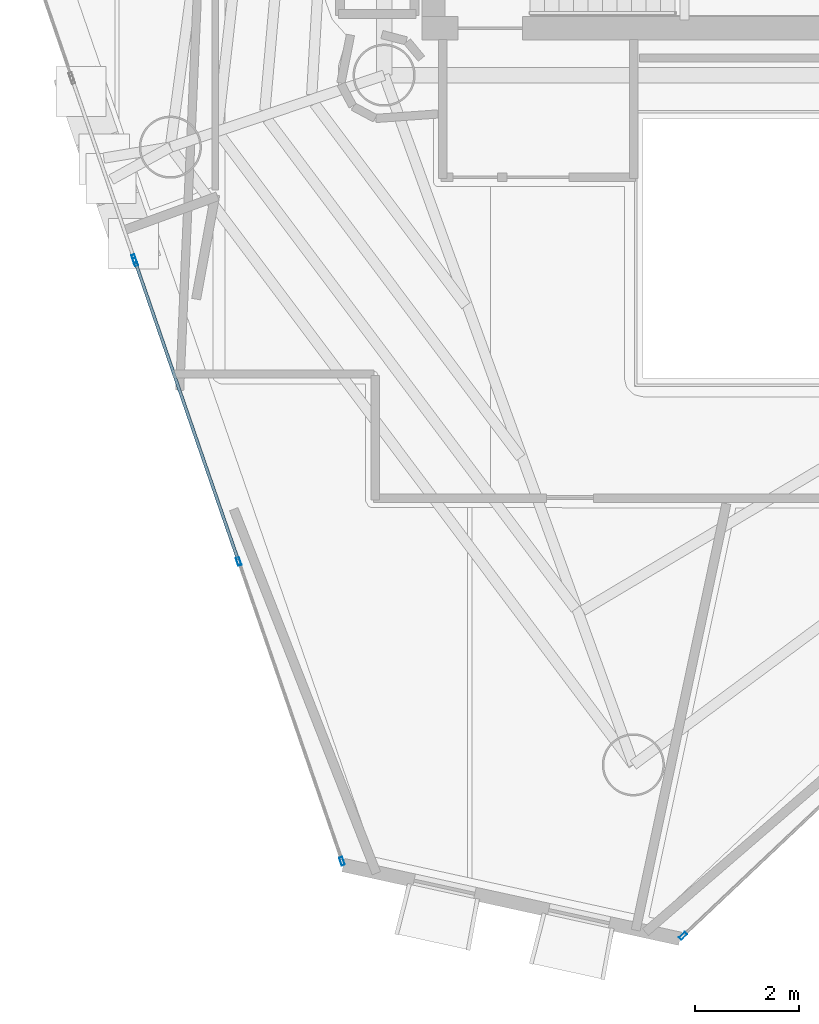
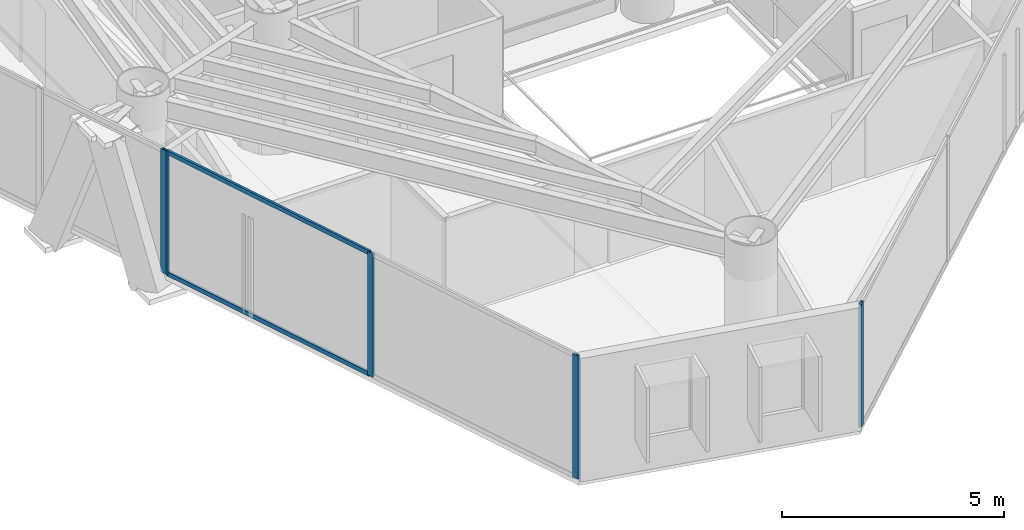
# One storey, part 2 of 20: 7 members, 3 elements without a shape of their own.
"""IFC4 building model written with IfcOpenShell, lengths in metres."""

from ifc_helpers import new_model, si_unit, direction, frame, origin, origin_2d, place, context, subcontext, project, spatial, hollow_rectangle, extrude, material, layer, layer_set, material_profile, profile_set, type_object, element, aggregate, save


model = new_model("IFC4")

# Units and contexts
model_context = context("Model", 3, precision=1e-05, world=origin(), true_north=direction((0.0, 1.0)))
body_context = subcontext(model_context, "Body", "Model", "MODEL_VIEW")
ifc_project = project(units=[si_unit("LENGTHUNIT", "METRE"), si_unit("AREAUNIT", "SQUARE_METRE"), si_unit("VOLUMEUNIT", "CUBIC_METRE"), si_unit("PLANEANGLEUNIT", "RADIAN"), si_unit("MASSUNIT", "GRAM", prefix="KILO")], contexts=[model_context])

# Site, building, storey
site_placement = place(None, origin())
site = spatial("IfcSite", under=ifc_project, at=site_placement, CompositionType="ELEMENT")
building_placement = place(site_placement, origin())
building = spatial("IfcBuilding", under=site, at=building_placement, Name="Qianvela Tower", CompositionType="ELEMENT")
storey_placement = place(building_placement, frame((0.0, 0.0, 226.199951171875)))
storey = spatial("IfcBuildingStorey", under=building, at=storey_placement, Name="L58", CompositionType="ELEMENT", Elevation=226.199951171875)

# Curtain wall, member
ifc_material_1 = material(Name="Anodised Architectural Aluminium and Insulated Spandrel Panel", Category="aluminium")
ifc_layer_1 = layer(ifc_material_1, 0.179931640625)
ifc_layer_set_1 = layer_set([ifc_layer_1], Name="Anodised Architectural Aluminium and Insulated Spandrel Panel")
curtain_wall_type_1 = type_object("IfcCurtainWallType", Name="CW-BRACEBAY", PredefinedType="USERDEFINED", material=ifc_layer_set_1)
curtain_wall_1_placement = place(storey_placement, origin())
curtain_wall_1 = element("IfcCurtainWall", 1, at=curtain_wall_1_placement, inside=storey, type_object=curtain_wall_type_1, Name="L58 CW-BRACEBAY Curtain Wall 04B", ObjectType="CURTAIN_WALL_SYSTEM", PredefinedType="USERDEFINED")
ifc_material_2 = material(Name="Anodised Architectural Aluminium 6063-T6", Category="aluminium")
ifc_material_profile_1 = material_profile(ifc_material_2, hollow_rectangle(XDim=0.06494140625, YDim=0.159912109375, WallThickness=0.0048828125, at=origin_2d()), Name="ALU-MULL-65x160")
ifc_profile_set_1 = profile_set([ifc_material_profile_1], Name="Anodised Architectural Aluminium 6063-T6")
member_type_1 = type_object("IfcMemberType", Name="CW-BRACEBAY-MULL", PredefinedType="MULLION", material=ifc_profile_set_1)
member_1_placement = place(storey_placement, frame((23.772705078125, 20.306396484375, 0.0), z_axis=(0.0, 0.0, 1.0), x_axis=(0.945288963328, 0.326234234578, 0.0)))
member_1 = element("IfcMember", 2, at=member_1_placement, type_object=member_type_1, Name="CW-9 mullion 2", PredefinedType="MULLION", context=body_context, shape_type="SweptSolid", body=[
    extrude(hollow_rectangle(XDim=0.06494140625, YDim=0.159912109375, WallThickness=0.0048828125, at=origin_2d()), origin(), (0.0, 0.0, 1.0), 3.400146484375),
])
aggregate(curtain_wall_1, [member_1])

# Curtain wall, members
ifc_material_3 = material(Name="Anodised Architectural Aluminium and Low-E Glass", Category="aluminium")
ifc_layer_2 = layer(ifc_material_3, 0.159912109375)
ifc_layer_set_2 = layer_set([ifc_layer_2], Name="Anodised Architectural Aluminium and Low-E Glass")
curtain_wall_type_2 = type_object("IfcCurtainWallType", Name="CW-COLIV-Z56", PredefinedType="USERDEFINED", material=ifc_layer_set_2)
curtain_wall_2_placement = place(storey_placement, origin())
curtain_wall_2 = element("IfcCurtainWall", 3, at=curtain_wall_2_placement, inside=storey, type_object=curtain_wall_type_2, Name="L58 CW-COLIV-Z56 Curtain Wall 04C", ObjectType="CURTAIN_WALL_SYSTEM", PredefinedType="USERDEFINED")
ifc_material_4 = material(Name="Anodised Architectural Aluminium 6063-T6", Category="aluminium")
ifc_material_profile_2 = material_profile(ifc_material_4, hollow_rectangle(XDim=0.06494140625, YDim=0.159912109375, WallThickness=0.0048828125, at=origin_2d()), Name="ALU-MULL-65x160")
ifc_profile_set_2 = profile_set([ifc_material_profile_2], Name="Anodised Architectural Aluminium 6063-T6")
member_type_2 = type_object("IfcMemberType", Name="CW-COLIV-Z56-MULL", PredefinedType="MULLION", material=ifc_profile_set_2)
member_2_placement = place(storey_placement, frame((23.7939453125, 20.244873046875, 0.0), z_axis=(0.0, 0.0, 1.0), x_axis=(0.945290833609, 0.326228815242, 0.0)))
member_2 = element("IfcMember", 4, at=member_2_placement, type_object=member_type_2, Name="CW-5 mullion 1", PredefinedType="MULLION", context=body_context, shape_type="SweptSolid", body=[
    extrude(hollow_rectangle(XDim=0.06494140625, YDim=0.159912109375, WallThickness=0.0048828125, at=origin_2d()), origin(), (0.0, 0.0, 1.0), 3.400146484375),
])
member_3_placement = place(storey_placement, frame((25.790771484375, 14.458740234375, 0.0), z_axis=(0.0, 0.0, 1.0), x_axis=(0.945290833609, 0.326228815242, 0.0)))
member_3 = element("IfcMember", 5, at=member_3_placement, type_object=member_type_2, Name="CW-5 mullion 2", PredefinedType="MULLION", context=body_context, shape_type="SweptSolid", body=[
    extrude(hollow_rectangle(XDim=0.06494140625, YDim=0.159912109375, WallThickness=0.0048828125, at=origin_2d()), origin(), (0.0, 0.0, 1.0), 3.400146484375),
])
member_4_placement = place(storey_placement, frame((27.78759765625, 8.672607421875, 0.0), z_axis=(0.0, 0.0, 1.0), x_axis=(0.945290833609, 0.326228815242, 0.0)))
member_4 = element("IfcMember", 6, at=member_4_placement, type_object=member_type_2, Name="CW-5 mullion 3", PredefinedType="MULLION", context=body_context, shape_type="SweptSolid", body=[
    extrude(hollow_rectangle(XDim=0.06494140625, YDim=0.159912109375, WallThickness=0.0048828125, at=origin_2d()), origin(), (0.0, 0.0, 1.0), 3.400146484375),
])

# Curtain wall, member
curtain_wall_3_placement = place(storey_placement, origin())
curtain_wall_3 = element("IfcCurtainWall", 7, at=curtain_wall_3_placement, inside=storey, type_object=curtain_wall_type_2, Name="L58 CW-COLIV-Z56 Curtain Wall 06A", ObjectType="CURTAIN_WALL_SYSTEM", PredefinedType="USERDEFINED")
member_5_placement = place(storey_placement, frame((34.373291015625, 7.228759765625, 0.0), z_axis=(0.0, 0.0, 1.0), x_axis=(-0.686997436207, 0.726659839708, 0.0)))
member_5 = element("IfcMember", 8, at=member_5_placement, type_object=member_type_2, Name="CW-5 mullion 1", PredefinedType="MULLION", context=body_context, shape_type="SweptSolid", body=[
    extrude(hollow_rectangle(XDim=0.06494140625, YDim=0.159912109375, WallThickness=0.0048828125, at=origin_2d()), origin(), (0.0, 0.0, 1.0), 3.400146484375),
])
aggregate(curtain_wall_3, [member_5])

# Member
ifc_material_5 = material(Name="Anodised Architectural Aluminium 6063-T6", Category="aluminium")
ifc_material_profile_3 = material_profile(ifc_material_5, hollow_rectangle(XDim=0.06005859375, YDim=0.114990234375, WallThickness=0.00390625, at=origin_2d()), Name="ALU-TRAN-60x115")
ifc_profile_set_3 = profile_set([ifc_material_profile_3], Name="Anodised Architectural Aluminium 6063-T6")
member_type_3 = type_object("IfcMemberType", Name="CW-COLIV-Z56-TRAN", PredefinedType="USERDEFINED", material=ifc_profile_set_3)
member_6_placement = place(storey_placement, frame((23.804443359375, 20.214111328125, 0.030029296875), z_axis=(0.326224248494, -0.945292409625, 0.0), x_axis=(0.945292409625, 0.326224248494, 0.0)))
member_6 = element("IfcMember", 9, at=member_6_placement, type_object=member_type_3, Name="CW-5 transom 1.1", ObjectType="TRANSOM", PredefinedType="USERDEFINED", context=body_context, shape_type="SweptSolid", body=[
    extrude(hollow_rectangle(XDim=0.06005859375, YDim=0.114990234375, WallThickness=0.00390625, at=origin_2d()), origin(), (0.0, 0.0, 1.0), 6.055908203125),
])

member_7_placement = place(storey_placement, frame((23.804443359375, 20.214111328125, 3.3701171875), z_axis=(0.326224248494, -0.945292409625, 0.0), x_axis=(0.945292409625, 0.326224248494, 0.0)))
member_7 = element("IfcMember", 10, at=member_7_placement, type_object=member_type_3, Name="CW-5 transom 1.2", ObjectType="TRANSOM", PredefinedType="USERDEFINED", context=body_context, shape_type="SweptSolid", body=[
    extrude(hollow_rectangle(XDim=0.06005859375, YDim=0.114990234375, WallThickness=0.00390625, at=origin_2d()), origin(), (0.0, 0.0, 1.0), 6.055908203125),
])

aggregate(curtain_wall_2, [member_2, member_3, member_4, member_6, member_7])

save(model, "model.ifc")
